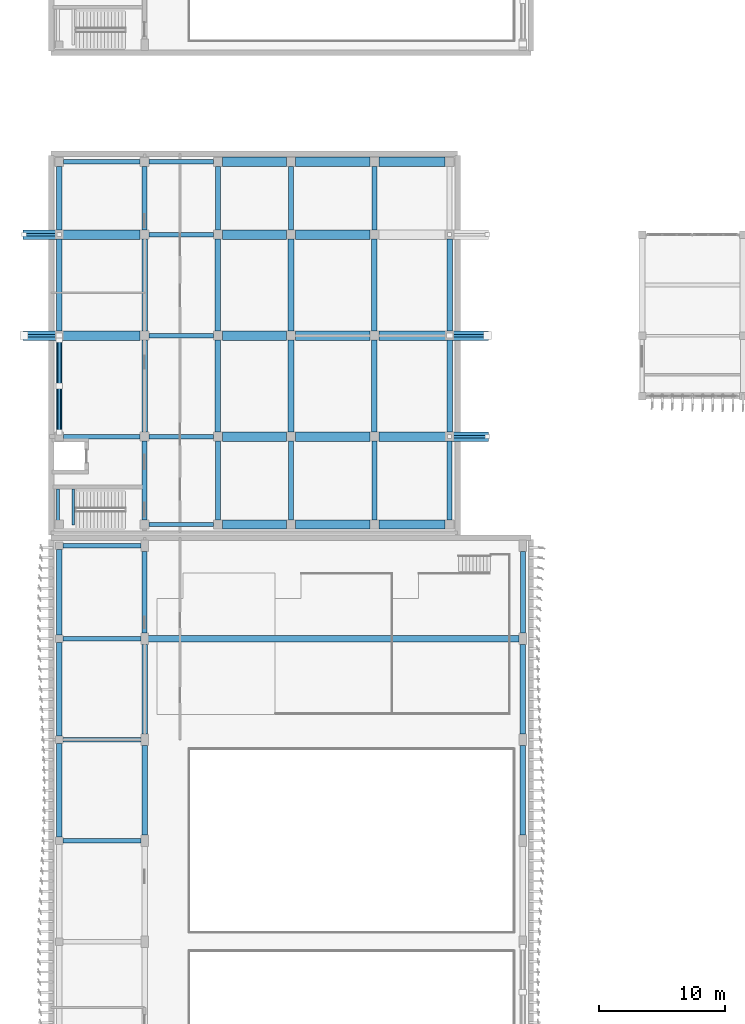
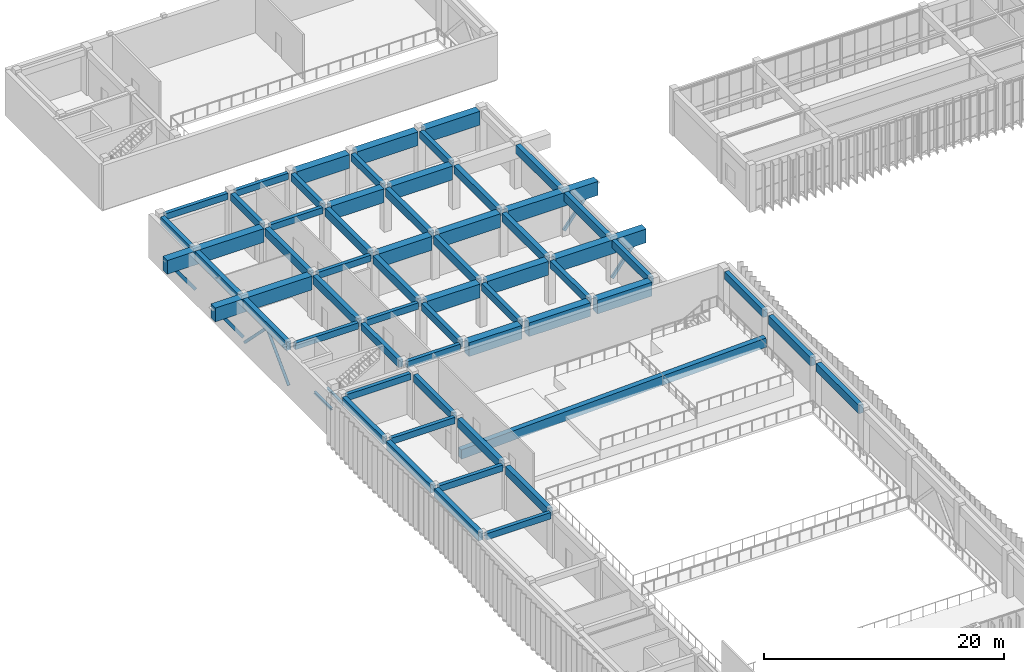
# One storey, part 8 of 64: 61 beams, 6 members.
"""IFC4 building model written with IfcOpenShell, lengths in metres."""

from ifc_helpers import new_model, si_unit, direction, frame, origin, origin_2d, place, context, subcontext, project, spatial, rectangle, hollow_rectangle, hollow_circle, i_section, extrude, material, material_profile, profile_set, type_object, element, save


model = new_model("IFC4")

# Units and contexts
model_context = context("Model", 3, precision=1e-05, world=origin(), true_north=direction((0.0, 1.0)))
body_context = subcontext(model_context, "Body", "Model", "MODEL_VIEW")
ifc_project = project(units=[si_unit("LENGTHUNIT", "METRE"), si_unit("AREAUNIT", "SQUARE_METRE"), si_unit("VOLUMEUNIT", "CUBIC_METRE"), si_unit("PLANEANGLEUNIT", "RADIAN"), si_unit("MASSUNIT", "GRAM", prefix="KILO")], contexts=[model_context])

# Site, building, storey
site_placement = place(None, origin())
site = spatial("IfcSite", under=ifc_project, at=site_placement, CompositionType="ELEMENT")
building_placement = place(site_placement, origin())
building = spatial("IfcBuilding", under=site, at=building_placement, Name="Cinchona Park Media Centre", CompositionType="ELEMENT")
storey_placement = place(building_placement, frame((0.0, 0.0, 5.39990234375)))
storey = spatial("IfcBuildingStorey", under=building, at=storey_placement, Name="L01", CompositionType="ELEMENT", Elevation=5.39990234375)

# Beams
ifc_material_1 = material(Name="Concrete C35/45", Category="concrete")
ifc_material_profile_1 = material_profile(ifc_material_1, rectangle(XDim=0.39990234375, YDim=0.75, at=origin_2d()), Name="RB 400X750")
ifc_profile_set_1 = profile_set([ifc_material_profile_1], Name="Concrete C35/45")
beam_type_1 = type_object("IfcBeamType", Name="BEAM-B01-RB400X750", PredefinedType="BEAM", material=ifc_profile_set_1)
beam_1_placement = place(storey_placement, frame((8.639892578125, 55.89990234375, 4.14501953125), z_axis=(0.0, 1.0, 0.0), x_axis=(-1.0, 0.0, 0.0)))
element("IfcBeam", 1, at=beam_1_placement, inside=storey, type_object=beam_type_1, Name="Girder B01 L01", PredefinedType="BEAM", context=body_context, shape_type="SweptSolid", body=[
    extrude(rectangle(XDim=0.39990234375, YDim=0.75, at=origin_2d()), origin(), (0.0, 0.0, 1.0), 6.760009765625),
])
for number, where, z_axis, x_axis, name in (
    (2, (15.39990234375, 56.050048828125, 4.14501953125), (0.0, 1.0, 0.0), (-1.0, 0.0, 0.0), "Girder B01 L01"),
    (3, (45.360107421875, 56.050048828125, 4.14501953125), (0.0, 1.0, 0.0), (-1.0, 0.0, 0.0), "Girder B01 L01"),
):
    element("IfcBeam", number, at=place(storey_placement, frame(where, z_axis=z_axis, x_axis=x_axis)), inside=storey, type_object=beam_type_1, Name=name, PredefinedType="BEAM", context=body_context, shape_type="SweptSolid", body=[
        extrude(rectangle(XDim=0.39990234375, YDim=0.75, at=origin_2d()), origin(), (0.0, 0.0, 1.0), 6.4599609375),
    ])
beam_2_placement = place(storey_placement, frame((8.639892578125, 87.949951171875, 4.10009765625), z_axis=(0.0, 1.0, 0.0), x_axis=(-1.0, 0.0, 0.0)))
element("IfcBeam", 4, at=beam_2_placement, inside=storey, type_object=beam_type_1, Name="Girder B01 L01", PredefinedType="BEAM", context=body_context, shape_type="SweptSolid", body=[
    extrude(rectangle(XDim=0.39990234375, YDim=0.75, at=origin_2d()), origin(), (0.0, 0.0, 1.0), 5.06005859375),
])
beam_3_placement = place(storey_placement, frame((15.39990234375, 64.989990234375, 4.10009765625), z_axis=(0.0, 1.0, 0.0), x_axis=(-1.0, 0.0, 0.0)))
element("IfcBeam", 5, at=beam_3_placement, inside=storey, type_object=beam_type_1, Name="Girder B01 L01", PredefinedType="BEAM", context=body_context, shape_type="SweptSolid", body=[
    extrude(rectangle(XDim=0.39990234375, YDim=0.75, at=origin_2d()), origin(), (0.0, 0.0, 1.0), 6.260009765625),
])
beam_4_placement = place(storey_placement, frame((15.39990234375, 87.949951171875, 4.10009765625), z_axis=(0.0, 1.0, 0.0), x_axis=(-1.0, 0.0, 0.0)))
element("IfcBeam", 6, at=beam_4_placement, inside=storey, type_object=beam_type_1, Name="Girder B01 L01", PredefinedType="BEAM", context=body_context, shape_type="SweptSolid", body=[
    extrude(rectangle(XDim=0.39990234375, YDim=0.75, at=origin_2d()), origin(), (0.0, 0.0, 1.0), 5.06005859375),
])
beam_5_placement = place(storey_placement, frame((21.199951171875, 64.989990234375, 4.10009765625), z_axis=(0.0, 1.0, 0.0), x_axis=(-1.0, 0.0, 0.0)))
element("IfcBeam", 7, at=beam_5_placement, inside=storey, type_object=beam_type_1, Name="Girder B01 L01", PredefinedType="BEAM", context=body_context, shape_type="SweptSolid", body=[
    extrude(rectangle(XDim=0.39990234375, YDim=0.75, at=origin_2d()), origin(), (0.0, 0.0, 1.0), 6.260009765625),
])
beam_6_placement = place(storey_placement, frame((21.199951171875, 87.949951171875, 4.10009765625), z_axis=(0.0, 1.0, 0.0), x_axis=(-1.0, 0.0, 0.0)))
element("IfcBeam", 8, at=beam_6_placement, inside=storey, type_object=beam_type_1, Name="Girder B01 L01", PredefinedType="BEAM", context=body_context, shape_type="SweptSolid", body=[
    extrude(rectangle(XDim=0.39990234375, YDim=0.75, at=origin_2d()), origin(), (0.0, 0.0, 1.0), 5.06005859375),
])
beam_7_placement = place(storey_placement, frame((27.0, 64.989990234375, 4.10009765625), z_axis=(0.0, 1.0, 0.0), x_axis=(-1.0, 0.0, 0.0)))
element("IfcBeam", 9, at=beam_7_placement, inside=storey, type_object=beam_type_1, Name="Girder B01 L01", PredefinedType="BEAM", context=body_context, shape_type="SweptSolid", body=[
    extrude(rectangle(XDim=0.39990234375, YDim=0.75, at=origin_2d()), origin(), (0.0, 0.0, 1.0), 6.260009765625),
])
beam_8_placement = place(storey_placement, frame((27.0, 87.949951171875, 4.10009765625), z_axis=(0.0, 1.0, 0.0), x_axis=(-1.0, 0.0, 0.0)))
element("IfcBeam", 10, at=beam_8_placement, inside=storey, type_object=beam_type_1, Name="Girder B01 L01", PredefinedType="BEAM", context=body_context, shape_type="SweptSolid", body=[
    extrude(rectangle(XDim=0.39990234375, YDim=0.75, at=origin_2d()), origin(), (0.0, 0.0, 1.0), 5.06005859375),
])
beam_9_placement = place(storey_placement, frame((33.60009765625, 64.989990234375, 4.10009765625), z_axis=(0.0, 1.0, 0.0), x_axis=(-1.0, 0.0, 0.0)))
element("IfcBeam", 11, at=beam_9_placement, inside=storey, type_object=beam_type_1, Name="Girder B01 L01", PredefinedType="BEAM", context=body_context, shape_type="SweptSolid", body=[
    extrude(rectangle(XDim=0.39990234375, YDim=0.75, at=origin_2d()), origin(), (0.0, 0.0, 1.0), 6.260009765625),
])
beam_10_placement = place(storey_placement, frame((33.60009765625, 87.949951171875, 4.10009765625), z_axis=(0.0, 1.0, 0.0), x_axis=(-1.0, 0.0, 0.0)))
element("IfcBeam", 12, at=beam_10_placement, inside=storey, type_object=beam_type_1, Name="Girder B01 L01", PredefinedType="BEAM", context=body_context, shape_type="SweptSolid", body=[
    extrude(rectangle(XDim=0.39990234375, YDim=0.75, at=origin_2d()), origin(), (0.0, 0.0, 1.0), 5.06005859375),
])
beam_11_placement = place(storey_placement, frame((39.56005859375, 64.989990234375, 4.10009765625), z_axis=(0.0, 1.0, 0.0), x_axis=(-1.0, 0.0, 0.0)))
element("IfcBeam", 13, at=beam_11_placement, inside=storey, type_object=beam_type_1, Name="Girder B01 L01", PredefinedType="BEAM", context=body_context, shape_type="SweptSolid", body=[
    extrude(rectangle(XDim=0.39990234375, YDim=0.75, at=origin_2d()), origin(), (0.0, 0.0, 1.0), 6.260009765625),
])
ifc_material_2 = material(Name="Concrete C35/45", Category="concrete")
ifc_material_profile_2 = material_profile(ifc_material_2, rectangle(XDim=0.449951171875, YDim=0.85009765625, at=origin_2d()), Name="RB 450X850")
ifc_profile_set_2 = profile_set([ifc_material_profile_2], Name="Concrete C35/45")
beam_type_2 = type_object("IfcBeamType", Name="BEAM-B02-RB450X850", PredefinedType="BEAM", material=ifc_profile_set_2)
for number, where, z_axis, x_axis, name in (
    (14, (8.639892578125, 39.89990234375, 4.09521484375), (0.0, 1.0, 0.0), (-1.0, 0.0, 0.0), "Girder B02 L01"),
    (15, (8.639892578125, 47.89990234375, 4.09521484375), (0.0, 1.0, 0.0), (-1.0, 0.0, 0.0), "Girder B02 L01"),
):
    element("IfcBeam", number, at=place(storey_placement, frame(where, z_axis=z_axis, x_axis=x_axis)), inside=storey, type_object=beam_type_2, Name=name, PredefinedType="BEAM", context=body_context, shape_type="SweptSolid", body=[
        extrude(rectangle(XDim=0.449951171875, YDim=0.85009765625, at=origin_2d()), origin(), (0.0, 0.0, 1.0), 7.400146484375),
    ])
for number, where, z_axis, x_axis, name in (
    (16, (15.39990234375, 40.050048828125, 4.09521484375), (0.0, 1.0, 0.0), (-1.0, 0.0, 0.0), "Girder B02 L01"),
    (17, (15.39990234375, 48.050048828125, 4.09521484375), (0.0, 1.0, 0.0), (-1.0, 0.0, 0.0), "Girder B02 L01"),
    (18, (45.360107421875, 40.050048828125, 4.09521484375), (0.0, 1.0, 0.0), (-1.0, 0.0, 0.0), "Girder B02 L01"),
    (19, (45.360107421875, 48.050048828125, 4.09521484375), (0.0, 1.0, 0.0), (-1.0, 0.0, 0.0), "Girder B02 L01"),
):
    element("IfcBeam", number, at=place(storey_placement, frame(where, z_axis=z_axis, x_axis=x_axis)), inside=storey, type_object=beam_type_2, Name=name, PredefinedType="BEAM", context=body_context, shape_type="SweptSolid", body=[
        extrude(rectangle(XDim=0.449951171875, YDim=0.85009765625, at=origin_2d()), origin(), (0.0, 0.0, 1.0), 7.099853515625),
    ])
for number, where, z_axis, x_axis, name in (
    (20, (8.639892578125, 71.949951171875, 4.050048828125), (0.0, 1.0, 0.0), (-1.0, 0.0, 0.0), "Girder B02 L01"),
    (21, (8.639892578125, 79.949951171875, 4.050048828125), (0.0, 1.0, 0.0), (-1.0, 0.0, 0.0), "Girder B02 L01"),
    (22, (15.39990234375, 71.949951171875, 4.050048828125), (0.0, 1.0, 0.0), (-1.0, 0.0, 0.0), "Girder B02 L01"),
    (23, (15.39990234375, 79.949951171875, 4.050048828125), (0.0, 1.0, 0.0), (-1.0, 0.0, 0.0), "Girder B02 L01"),
    (24, (21.199951171875, 71.949951171875, 4.050048828125), (0.0, 1.0, 0.0), (-1.0, 0.0, 0.0), "Girder B02 L01"),
    (25, (21.199951171875, 79.949951171875, 4.050048828125), (0.0, 1.0, 0.0), (-1.0, 0.0, 0.0), "Girder B02 L01"),
    (26, (27.0, 71.949951171875, 4.050048828125), (0.0, 1.0, 0.0), (-1.0, 0.0, 0.0), "Girder B02 L01"),
    (27, (27.0, 79.949951171875, 4.050048828125), (0.0, 1.0, 0.0), (-1.0, 0.0, 0.0), "Girder B02 L01"),
    (28, (33.60009765625, 71.949951171875, 4.050048828125), (0.0, 1.0, 0.0), (-1.0, 0.0, 0.0), "Girder B02 L01"),
    (29, (33.60009765625, 79.949951171875, 4.050048828125), (0.0, 1.0, 0.0), (-1.0, 0.0, 0.0), "Girder B02 L01"),
    (30, (39.56005859375, 71.949951171875, 4.050048828125), (0.0, 1.0, 0.0), (-1.0, 0.0, 0.0), "Girder B02 L01"),
    (31, (39.56005859375, 79.949951171875, 4.050048828125), (0.0, 1.0, 0.0), (-1.0, 0.0, 0.0), "Girder B02 L01"),
):
    element("IfcBeam", number, at=place(storey_placement, frame(where, z_axis=z_axis, x_axis=x_axis)), inside=storey, type_object=beam_type_2, Name=name, PredefinedType="BEAM", context=body_context, shape_type="SweptSolid", body=[
        extrude(rectangle(XDim=0.449951171875, YDim=0.85009765625, at=origin_2d()), origin(), (0.0, 0.0, 1.0), 7.300048828125),
    ])
ifc_material_3 = material(Name="Concrete C40/50", Category="concrete")
ifc_material_profile_3 = material_profile(ifc_material_3, rectangle(XDim=0.5, YDim=0.949951171875, at=origin_2d()), Name="RB 500X950")
ifc_profile_set_3 = profile_set([ifc_material_profile_3], Name="Concrete C40/50")
beam_type_3 = type_object("IfcBeamType", Name="BEAM-B03-RB500X950", PredefinedType="BEAM", material=ifc_profile_set_3)
beam_12_placement = place(storey_placement, frame((15.68994140625, 55.60009765625, 0.550048828125), z_axis=(0.999247881352, 0.0, 0.038777204826), x_axis=(0.0, 1.0, 0.0)))
element("IfcBeam", 32, at=beam_12_placement, inside=storey, type_object=beam_type_3, Name="RAKER Beam Cinema Hall 3 3", PredefinedType="BEAM", context=body_context, shape_type="SweptSolid", body=[
    extrude(rectangle(XDim=0.5, YDim=0.949951171875, at=origin_2d()), origin(), (0.0, 0.0, 1.0), 29.40234375),
])
ifc_material_4 = material(Name="Concrete C35/45", Category="concrete")
ifc_material_profile_4 = material_profile(ifc_material_4, rectangle(XDim=0.35009765625, YDim=0.64990234375, at=origin_2d()), Name="RB 350X650")
ifc_profile_set_4 = profile_set([ifc_material_profile_4], Name="Concrete C35/45")
beam_type_4 = type_object("IfcBeamType", Name="BEAM-B04-RB350X650", PredefinedType="BEAM", material=ifc_profile_set_4)
for number, where, z_axis, x_axis, name in (
    (33, (8.93994140625, 39.60009765625, 4.195068359375), (1.0, 0.0, 0.0), (0.0, 1.0, 0.0), "Beam B04 L01"),
    (34, (8.93994140625, 47.60009765625, 4.195068359375), (1.0, 0.0, 0.0), (0.0, 1.0, 0.0), "Beam B04 L01"),
    (35, (8.93994140625, 55.60009765625, 4.195068359375), (1.0, 0.0, 0.0), (0.0, 1.0, 0.0), "Beam B04 L01"),
    (36, (8.93994140625, 62.9599609375, 4.195068359375), (1.0, 0.0, 0.0), (0.0, 1.0, 0.0), "Beam B04 L01"),
):
    element("IfcBeam", number, at=place(storey_placement, frame(where, z_axis=z_axis, x_axis=x_axis)), inside=storey, type_object=beam_type_4, Name=name, PredefinedType="BEAM", context=body_context, shape_type="SweptSolid", body=[
        extrude(rectangle(XDim=0.35009765625, YDim=0.64990234375, at=origin_2d()), origin(), (0.0, 0.0, 1.0), 6.16015625),
    ])
beam_13_placement = place(storey_placement, frame((15.75, 64.639892578125, 4.150146484375), z_axis=(1.0, 0.0, 0.0), x_axis=(0.0, 1.0, 0.0)))
element("IfcBeam", 37, at=beam_13_placement, inside=storey, type_object=beam_type_4, Name="Beam B04 L01", PredefinedType="BEAM", context=body_context, shape_type="SweptSolid", body=[
    extrude(rectangle(XDim=0.35009765625, YDim=0.64990234375, at=origin_2d()), origin(), (0.0, 0.0, 1.0), 5.10009765625),
])
beam_14_placement = place(storey_placement, frame((8.989990234375, 71.60009765625, 4.150146484375), z_axis=(1.0, 0.0, 0.0), x_axis=(0.0, 1.0, 0.0)))
element("IfcBeam", 38, at=beam_14_placement, inside=storey, type_object=beam_type_4, Name="Beam B04 L01", PredefinedType="BEAM", context=body_context, shape_type="SweptSolid", body=[
    extrude(rectangle(XDim=0.35009765625, YDim=0.64990234375, at=origin_2d()), origin(), (0.0, 0.0, 1.0), 6.06005859375),
])
for number, where, z_axis, x_axis, name in (
    (39, (15.75, 71.60009765625, 4.150146484375), (1.0, 0.0, 0.0), (0.0, 1.0, 0.0), "Beam B04 L01"),
    (40, (15.75, 79.60009765625, 4.150146484375), (1.0, 0.0, 0.0), (0.0, 1.0, 0.0), "Beam B04 L01"),
    (41, (15.75, 87.60009765625, 4.150146484375), (1.0, 0.0, 0.0), (0.0, 1.0, 0.0), "Beam B04 L01"),
):
    element("IfcBeam", number, at=place(storey_placement, frame(where, z_axis=z_axis, x_axis=x_axis)), inside=storey, type_object=beam_type_4, Name=name, PredefinedType="BEAM", context=body_context, shape_type="SweptSolid", body=[
        extrude(rectangle(XDim=0.35009765625, YDim=0.64990234375, at=origin_2d()), origin(), (0.0, 0.0, 1.0), 5.10009765625),
    ])
beam_15_placement = place(storey_placement, frame((8.989990234375, 93.360107421875, 4.150146484375), z_axis=(1.0, 0.0, 0.0), x_axis=(0.0, 1.0, 0.0)))
element("IfcBeam", 42, at=beam_15_placement, inside=storey, type_object=beam_type_4, Name="Beam B04 L01", PredefinedType="BEAM", context=body_context, shape_type="SweptSolid", body=[
    extrude(rectangle(XDim=0.35009765625, YDim=0.64990234375, at=origin_2d()), origin(), (0.0, 0.0, 1.0), 6.06005859375),
])
beam_16_placement = place(storey_placement, frame((15.75, 93.360107421875, 4.150146484375), z_axis=(1.0, 0.0, 0.0), x_axis=(0.0, 1.0, 0.0)))
element("IfcBeam", 43, at=beam_16_placement, inside=storey, type_object=beam_type_4, Name="Beam B04 L01", PredefinedType="BEAM", context=body_context, shape_type="SweptSolid", body=[
    extrude(rectangle(XDim=0.35009765625, YDim=0.64990234375, at=origin_2d()), origin(), (0.0, 0.0, 1.0), 5.10009765625),
])
ifc_material_5 = material(Name="Steel S355", Category="steel")
ifc_material_profile_5 = material_profile(ifc_material_5, i_section(OverallWidth=0.202880859375, OverallDepth=0.202880859375, WebThickness=0.007080078125, FlangeThickness=0.010986328125, at=origin_2d()), Name="W200X46")
ifc_profile_set_5 = profile_set([ifc_material_profile_5], Name="Steel S355")
beam_type_5 = type_object("IfcBeamType", Name="BEAM-B10-W200X46", PredefinedType="BEAM", material=ifc_profile_set_5)
for number, where, z_axis, x_axis, name in (
    (44, (8.5400390625, 67.469970703125, 2.093505859375), (0.0, -1.0, 0.0), (1.0, 0.0, 0.0), "Stair Landing Bearer Beam B10 ST3 L01"),
    (45, (9.760009765625, 67.469970703125, 2.093505859375), (0.0, -1.0, 0.0), (1.0, 0.0, 0.0), "Stair Landing Bearer Beam B10 ST3 L01"),
):
    element("IfcBeam", number, at=place(storey_placement, frame(where, z_axis=z_axis, x_axis=x_axis)), inside=storey, type_object=beam_type_5, Name=name, PredefinedType="BEAM", context=body_context, shape_type="SweptSolid", body=[
        extrude(i_section(OverallWidth=0.202880859375, OverallDepth=0.202880859375, WebThickness=0.007080078125, FlangeThickness=0.010986328125, at=origin_2d()), origin(), (0.0, 0.0, 1.0), 2.869873046875),
    ])
ifc_material_6 = material(Name="Concrete C40/50", Category="concrete")
ifc_material_profile_6 = material_profile(ifc_material_6, rectangle(XDim=0.75, YDim=1.39990234375, at=origin_2d()), Name="RTG 750X1400")
ifc_profile_set_6 = profile_set([ifc_material_profile_6], Name="Concrete C40/50")
beam_type_6 = type_object("IfcBeamType", Name="BEAM-TG01-RTG750X1400", PredefinedType="USERDEFINED", material=ifc_profile_set_6)
beam_17_placement = place(storey_placement, frame((21.550048828125, 64.639892578125, 3.775146484375), z_axis=(1.0, 0.0, 0.0), x_axis=(0.0, 1.0, 0.0)))
element("IfcBeam", 46, at=beam_17_placement, inside=storey, type_object=beam_type_6, Name="Transfer Girder TG01 L01", ObjectType="TRANSFER GIRDER", PredefinedType="USERDEFINED", context=body_context, shape_type="SweptSolid", body=[
    extrude(rectangle(XDim=0.75, YDim=1.39990234375, at=origin_2d()), origin(), (0.0, 0.0, 1.0), 5.099853515625),
])
beam_18_placement = place(storey_placement, frame((27.35009765625, 64.639892578125, 3.775146484375), z_axis=(1.0, 0.0, 0.0), x_axis=(0.0, 1.0, 0.0)))
element("IfcBeam", 47, at=beam_18_placement, inside=storey, type_object=beam_type_6, Name="Transfer Girder TG01 L01", ObjectType="TRANSFER GIRDER", PredefinedType="USERDEFINED", context=body_context, shape_type="SweptSolid", body=[
    extrude(rectangle(XDim=0.75, YDim=1.39990234375, at=origin_2d()), origin(), (0.0, 0.0, 1.0), 5.89990234375),
])
beam_19_placement = place(storey_placement, frame((33.949951171875, 64.639892578125, 3.775146484375), z_axis=(1.0, 0.0, 0.0), x_axis=(0.0, 1.0, 0.0)))
element("IfcBeam", 48, at=beam_19_placement, inside=storey, type_object=beam_type_6, Name="Transfer Girder TG01 L01", ObjectType="TRANSFER GIRDER", PredefinedType="USERDEFINED", context=body_context, shape_type="SweptSolid", body=[
    extrude(rectangle(XDim=0.75, YDim=1.39990234375, at=origin_2d()), origin(), (0.0, 0.0, 1.0), 5.260009765625),
])
beam_20_placement = place(storey_placement, frame((21.550048828125, 71.60009765625, 3.775146484375), z_axis=(1.0, 0.0, 0.0), x_axis=(0.0, 1.0, 0.0)))
element("IfcBeam", 49, at=beam_20_placement, inside=storey, type_object=beam_type_6, Name="Transfer Girder TG01 L01", ObjectType="TRANSFER GIRDER", PredefinedType="USERDEFINED", context=body_context, shape_type="SweptSolid", body=[
    extrude(rectangle(XDim=0.75, YDim=1.39990234375, at=origin_2d()), origin(), (0.0, 0.0, 1.0), 5.099853515625),
])
beam_21_placement = place(storey_placement, frame((27.35009765625, 71.60009765625, 3.775146484375), z_axis=(1.0, 0.0, 0.0), x_axis=(0.0, 1.0, 0.0)))
element("IfcBeam", 50, at=beam_21_placement, inside=storey, type_object=beam_type_6, Name="Transfer Girder TG01 L01", ObjectType="TRANSFER GIRDER", PredefinedType="USERDEFINED", context=body_context, shape_type="SweptSolid", body=[
    extrude(rectangle(XDim=0.75, YDim=1.39990234375, at=origin_2d()), origin(), (0.0, 0.0, 1.0), 5.89990234375),
])
beam_22_placement = place(storey_placement, frame((21.550048828125, 79.60009765625, 3.775146484375), z_axis=(1.0, 0.0, 0.0), x_axis=(0.0, 1.0, 0.0)))
element("IfcBeam", 51, at=beam_22_placement, inside=storey, type_object=beam_type_6, Name="Transfer Girder TG01 L01", ObjectType="TRANSFER GIRDER", PredefinedType="USERDEFINED", context=body_context, shape_type="SweptSolid", body=[
    extrude(rectangle(XDim=0.75, YDim=1.39990234375, at=origin_2d()), origin(), (0.0, 0.0, 1.0), 5.099853515625),
])
beam_23_placement = place(storey_placement, frame((27.35009765625, 79.60009765625, 3.775146484375), z_axis=(1.0, 0.0, 0.0), x_axis=(0.0, 1.0, 0.0)))
element("IfcBeam", 52, at=beam_23_placement, inside=storey, type_object=beam_type_6, Name="Transfer Girder TG01 L01", ObjectType="TRANSFER GIRDER", PredefinedType="USERDEFINED", context=body_context, shape_type="SweptSolid", body=[
    extrude(rectangle(XDim=0.75, YDim=1.39990234375, at=origin_2d()), origin(), (0.0, 0.0, 1.0), 5.89990234375),
])
beam_24_placement = place(storey_placement, frame((21.550048828125, 87.60009765625, 3.775146484375), z_axis=(1.0, 0.0, 0.0), x_axis=(0.0, 1.0, 0.0)))
element("IfcBeam", 53, at=beam_24_placement, inside=storey, type_object=beam_type_6, Name="Transfer Girder TG01 L01", ObjectType="TRANSFER GIRDER", PredefinedType="USERDEFINED", context=body_context, shape_type="SweptSolid", body=[
    extrude(rectangle(XDim=0.75, YDim=1.39990234375, at=origin_2d()), origin(), (0.0, 0.0, 1.0), 5.099853515625),
])
beam_25_placement = place(storey_placement, frame((27.35009765625, 87.60009765625, 3.775146484375), z_axis=(1.0, 0.0, 0.0), x_axis=(0.0, 1.0, 0.0)))
element("IfcBeam", 54, at=beam_25_placement, inside=storey, type_object=beam_type_6, Name="Transfer Girder TG01 L01", ObjectType="TRANSFER GIRDER", PredefinedType="USERDEFINED", context=body_context, shape_type="SweptSolid", body=[
    extrude(rectangle(XDim=0.75, YDim=1.39990234375, at=origin_2d()), origin(), (0.0, 0.0, 1.0), 5.89990234375),
])
beam_26_placement = place(storey_placement, frame((21.550048828125, 93.360107421875, 3.775146484375), z_axis=(1.0, 0.0, 0.0), x_axis=(0.0, 1.0, 0.0)))
element("IfcBeam", 55, at=beam_26_placement, inside=storey, type_object=beam_type_6, Name="Transfer Girder TG01 L01", ObjectType="TRANSFER GIRDER", PredefinedType="USERDEFINED", context=body_context, shape_type="SweptSolid", body=[
    extrude(rectangle(XDim=0.75, YDim=1.39990234375, at=origin_2d()), origin(), (0.0, 0.0, 1.0), 5.099853515625),
])
beam_27_placement = place(storey_placement, frame((27.35009765625, 93.360107421875, 3.775146484375), z_axis=(1.0, 0.0, 0.0), x_axis=(0.0, 1.0, 0.0)))
element("IfcBeam", 56, at=beam_27_placement, inside=storey, type_object=beam_type_6, Name="Transfer Girder TG01 L01", ObjectType="TRANSFER GIRDER", PredefinedType="USERDEFINED", context=body_context, shape_type="SweptSolid", body=[
    extrude(rectangle(XDim=0.75, YDim=1.39990234375, at=origin_2d()), origin(), (0.0, 0.0, 1.0), 5.89990234375),
])
beam_28_placement = place(storey_placement, frame((33.949951171875, 93.360107421875, 3.775146484375), z_axis=(1.0, 0.0, 0.0), x_axis=(0.0, 1.0, 0.0)))
element("IfcBeam", 57, at=beam_28_placement, inside=storey, type_object=beam_type_6, Name="Transfer Girder TG01 L01", ObjectType="TRANSFER GIRDER", PredefinedType="USERDEFINED", context=body_context, shape_type="SweptSolid", body=[
    extrude(rectangle(XDim=0.75, YDim=1.39990234375, at=origin_2d()), origin(), (0.0, 0.0, 1.0), 5.260009765625),
])
for number, where, z_axis, x_axis, name in (
    (58, (33.949951171875, 71.60009765625, 3.775146484375), (1.0, 0.0, 0.0), (0.0, 1.0, 0.0), "Cantilever Auditorium Transfer Girder TG01 L01"),
    (59, (33.949951171875, 79.60009765625, 3.775146484375), (1.0, 0.0, 0.0), (0.0, 1.0, 0.0), "Cantilever Auditorium Transfer Girder TG01 L01"),
):
    element("IfcBeam", number, at=place(storey_placement, frame(where, z_axis=z_axis, x_axis=x_axis)), inside=storey, type_object=beam_type_6, Name=name, ObjectType="TRANSFER GIRDER", PredefinedType="USERDEFINED", context=body_context, shape_type="SweptSolid", body=[
        extrude(rectangle(XDim=0.75, YDim=1.39990234375, at=origin_2d()), origin(), (0.0, 0.0, 1.0), 8.699951171875),
    ])
for number, where, z_axis, x_axis, name in (
    (60, (5.75, 79.60009765625, 3.775146484375), (1.0, 0.0, 0.0), (0.0, 1.0, 0.0), "Cantilever Auditorium Transfer Girder TG01 L01"),
    (61, (5.75, 87.60009765625, 3.775146484375), (1.0, 0.0, 0.0), (0.0, 1.0, 0.0), "Cantilever Auditorium Transfer Girder TG01 L01"),
):
    element("IfcBeam", number, at=place(storey_placement, frame(where, z_axis=z_axis, x_axis=x_axis)), inside=storey, type_object=beam_type_6, Name=name, ObjectType="TRANSFER GIRDER", PredefinedType="USERDEFINED", context=body_context, shape_type="SweptSolid", body=[
        extrude(rectangle(XDim=0.75, YDim=1.39990234375, at=origin_2d()), origin(), (0.0, 0.0, 1.0), 9.300048828125),
    ])

# Members
ifc_material_7 = material(Name="Steel S355", Category="steel")
ifc_material_profile_7 = material_profile(ifc_material_7, hollow_circle(Radius=0.136474609375, WallThickness=0.01611328125, at=origin_2d()), Name="273X16CHS")
ifc_profile_set_7 = profile_set([ifc_material_profile_7], Name="Steel S355")
member_type_1 = type_object("IfcMemberType", Name="MEMBER-BR01-CHS273X16", PredefinedType="BRACE", material=ifc_profile_set_7)
for number, where, z_axis, x_axis, name in (
    (62, (8.639892578125, 71.955078125, 0.005126953125), (0.0, 0.704695485529, 0.709509882014), (-1.0, 0.0, 0.0), "Vertical Chevron Brace BR01 L01"),
    (63, (8.639892578125, 79.2451171875, 0.005126953125), (0.0, -0.704695485529, 0.709509882014), (1.0, 0.0, 0.0), "Vertical Chevron Brace BR01 L01"),
):
    element("IfcMember", number, at=place(storey_placement, frame(where, z_axis=z_axis, x_axis=x_axis)), inside=storey, type_object=member_type_1, Name=name, PredefinedType="BRACE", context=body_context, shape_type="SweptSolid", body=[
        extrude(hollow_circle(Radius=0.136474609375, WallThickness=0.01611328125, at=origin_2d()), origin(), (0.0, 0.0, 1.0), 5.17236328125),
    ])
ifc_material_8 = material(Name="Steel S355", Category="steel")
ifc_material_profile_8 = material_profile(ifc_material_8, hollow_rectangle(XDim=0.199951171875, YDim=0.300048828125, WallThickness=0.01611328125, at=origin_2d()), Name="300X200X16RHS")
ifc_profile_set_8 = profile_set([ifc_material_profile_8], Name="Steel S355")
member_type_2 = type_object("IfcMemberType", Name="MEMBER-TS05-RHS300X200X16", PredefinedType="STRUT", material=ifc_profile_set_8)
for number, where, z_axis, x_axis, name in (
    (64, (39.56005859375, 71.60009765625, 0.35009765625), (0.610893690677, 0.0, 0.791712636435), (0.0, 1.0, 0.0), "Constructivist Auditorium Raking Strut TS05"),
    (65, (39.56005859375, 79.60009765625, 0.35009765625), (0.610893690677, 0.0, 0.791712636435), (0.0, 1.0, 0.0), "Constructivist Auditorium Raking Strut TS05"),
):
    element("IfcMember", number, at=place(storey_placement, frame(where, z_axis=z_axis, x_axis=x_axis)), inside=storey, type_object=member_type_2, Name=name, PredefinedType="STRUT", context=body_context, shape_type="SweptSolid", body=[
        extrude(hollow_rectangle(XDim=0.199951171875, YDim=0.300048828125, WallThickness=0.01611328125, at=origin_2d()), origin(), (0.0, 0.0, 1.0), 4.89453125),
    ])
for number, where, z_axis, x_axis, name in (
    (66, (8.639892578125, 79.60009765625, 0.35009765625), (-0.584276438989, 0.0, 0.81155470724), (0.0, -1.0, 0.0), "Constructivist Auditorium Raking Strut TS05"),
    (67, (8.639892578125, 87.60009765625, 0.35009765625), (-0.584276438989, 0.0, 0.81155470724), (0.0, -1.0, 0.0), "Constructivist Auditorium Raking Strut TS05"),
):
    element("IfcMember", number, at=place(storey_placement, frame(where, z_axis=z_axis, x_axis=x_axis)), inside=storey, type_object=member_type_2, Name=name, PredefinedType="STRUT", context=body_context, shape_type="SweptSolid", body=[
        extrude(hollow_rectangle(XDim=0.199951171875, YDim=0.300048828125, WallThickness=0.01611328125, at=origin_2d()), origin(), (0.0, 0.0, 1.0), 4.77490234375),
    ])

save(model, "model.ifc")
